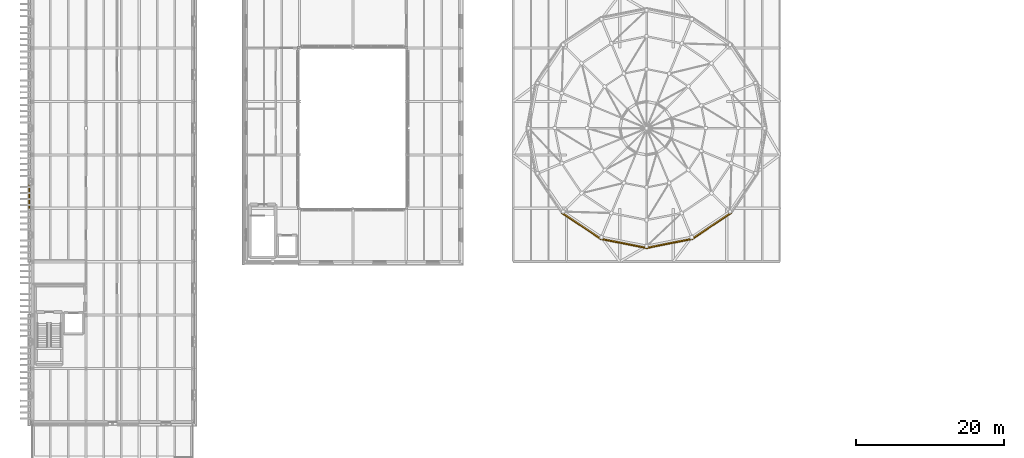
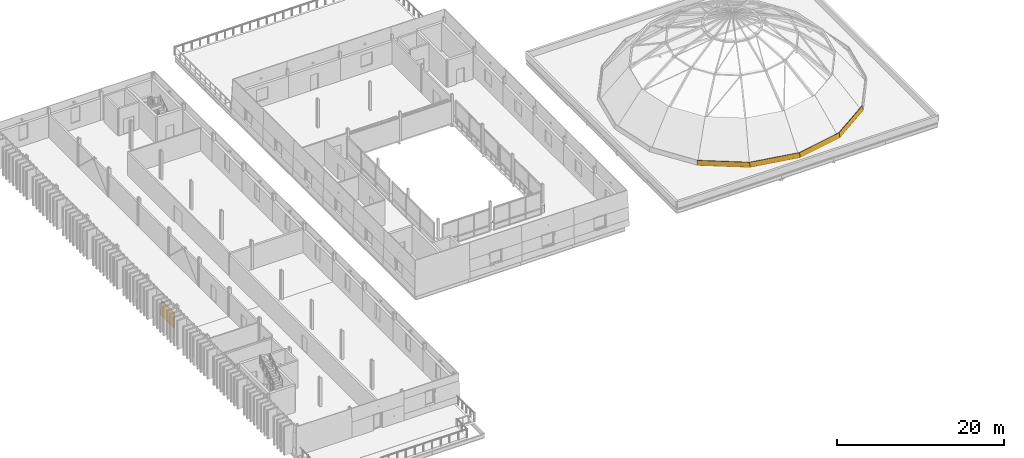
# One storey, part 60 of 66: 5 coverings.
"""IFC4 building model written with IfcOpenShell, lengths in metres."""

from ifc_helpers import new_model, si_unit, direction, frame, origin, place, context, subcontext, project, spatial, polyline, outline, extrude, material, layer, layer_set, type_object, element, save


model = new_model("IFC4")

# Units and contexts
model_context = context("Model", 3, precision=1e-05, world=origin(), true_north=direction((0.0, 1.0)))
body_context = subcontext(model_context, "Body", "Model", "MODEL_VIEW")
ifc_project = project(units=[si_unit("LENGTHUNIT", "METRE"), si_unit("AREAUNIT", "SQUARE_METRE"), si_unit("VOLUMEUNIT", "CUBIC_METRE"), si_unit("PLANEANGLEUNIT", "RADIAN"), si_unit("MASSUNIT", "GRAM", prefix="KILO")], contexts=[model_context])

# Site, building, storey
site_placement = place(None, origin())
site = spatial("IfcSite", under=ifc_project, at=site_placement, CompositionType="ELEMENT")
building_placement = place(site_placement, origin())
building = spatial("IfcBuilding", under=site, at=building_placement, Name="Narikvali Park Central Library", CompositionType="ELEMENT")
storey_placement = place(building_placement, frame((0.0, 0.0, 18.60009765625)))
storey = spatial("IfcBuildingStorey", under=building, at=storey_placement, Name="L04", CompositionType="ELEMENT", Elevation=18.60009765625)

# Coverings
ifc_material = material(Name="White Honed Limestone Cladding", Category="masonry")
ifc_layer = layer(ifc_material, 0.0849609375, Name="White Honed Limestone Cladding")
ifc_layer_set = layer_set([ifc_layer], Name="White Honed Limestone Cladding")
covering_type = type_object("IfcCoveringType", Name="Battered White Limestone Facade Cladding Panel", PredefinedType="CLADDING", material=ifc_layer_set)
covering_1_placement = place(storey_placement, frame((-0.4853515625, 67.9599609375, 0.949951171875), z_axis=(-0.99959725493, 0.0, 0.028378300447), x_axis=(0.0, -1.0, 0.0)))
element("IfcCovering", 1, at=covering_1_placement, inside=storey, type_object=covering_type, Name="V5 L04 W Battered Limestone Jamb Pier R B06", PredefinedType="CLADDING", context=body_context, shape_type="SweptSolid", body=[
    extrude(outline(polyline([(0.0, 0.0), (3.159912109375, 0.0), (3.159912109375, 2.150768555182125), (0.0, 2.150768555182125), (0.0, 0.0)])), origin(), (0.0, 0.0, -1.0), 0.0849609375),
])
covering_2_placement = place(storey_placement, frame((71.3095703125, 64.109619140625, -0.050048828125), z_axis=(-0.547222314166, -0.818939672068, 0.172874383274), x_axis=(0.831458005589, -0.555587603297, -2.057555e-06)))
element("IfcCovering", 2, at=covering_2_placement, inside=storey, type_object=covering_type, Name="Rotunda Dome Drum Limestone Collar 11", PredefinedType="CLADDING", context=body_context, shape_type="SweptSolid", body=[
    extrude(outline(polyline([(0.0, 0.0), (6.340392149087206, 0.0), (6.316972150850668, 0.6801756788645437), (0.02336947843374232, 0.6801492863570697), (0.0, 0.0)])), origin(), (0.0, 0.0, -1.0), 0.0849609375),
])
covering_3_placement = place(storey_placement, frame((76.581298828125, 60.5869140625, -0.050048828125), z_axis=(-0.192133101221, -0.966013638985, 0.172923453329), x_axis=(0.980789006447, -0.195071588989, 1.260155e-06)))
element("IfcCovering", 3, at=covering_3_placement, inside=storey, type_object=covering_type, Name="Rotunda Dome Drum Limestone Collar 12", PredefinedType="CLADDING", context=body_context, shape_type="SweptSolid", body=[
    extrude(outline(polyline([(0.0, 0.0), (6.340549375498481, 2.7755575615628914e-17), (6.317166393973236, 0.6801603487491904), (0.023395822675112407, 0.6801765134708452), (0.0, 0.0)])), origin(), (0.0, 0.0, -1.0), 0.0849609375),
])
covering_4_placement = place(storey_placement, frame((82.800048828125, 59.35009765625, -0.050048828125), z_axis=(0.192140384248, -0.966012190405, 0.172923453384), x_axis=(0.980787535886, 0.19507898259, -1.26494e-06)))
element("IfcCovering", 4, at=covering_4_placement, inside=storey, type_object=covering_type, Name="Rotunda Dome Drum Limestone Collar 13", PredefinedType="CLADDING", context=body_context, shape_type="SweptSolid", body=[
    extrude(outline(polyline([(0.0, 0.0), (6.340309924893207, 2.7755575615628914e-17), (6.31691498601486, 0.6801765438581355), (0.02338386461346537, 0.6801603183774315), (0.0, 0.0)])), origin(), (0.0, 0.0, -1.0), 0.0849609375),
])
covering_5_placement = place(storey_placement, frame((89.0185546875, 60.5869140625, -0.050048828125), z_axis=(0.54720408687, -0.818931426727, 0.17297111213), x_axis=(0.831464147279, 0.555578411918, 2.43124e-07)))
element("IfcCovering", 5, at=covering_5_placement, inside=storey, type_object=covering_type, Name="Rotunda Dome Drum Limestone Collar 14", PredefinedType="CLADDING", context=body_context, shape_type="SweptSolid", body=[
    extrude(outline(polyline([(0.0, 0.0), (6.3405951420679685, 1.1102230246251565e-16), (6.317020154962399, 0.6801726509355542), (0.023417482044793193, 0.6801757696259371), (0.0, 0.0)])), origin(), (0.0, 0.0, -1.0), 0.0849609375),
])

save(model, "model.ifc")
